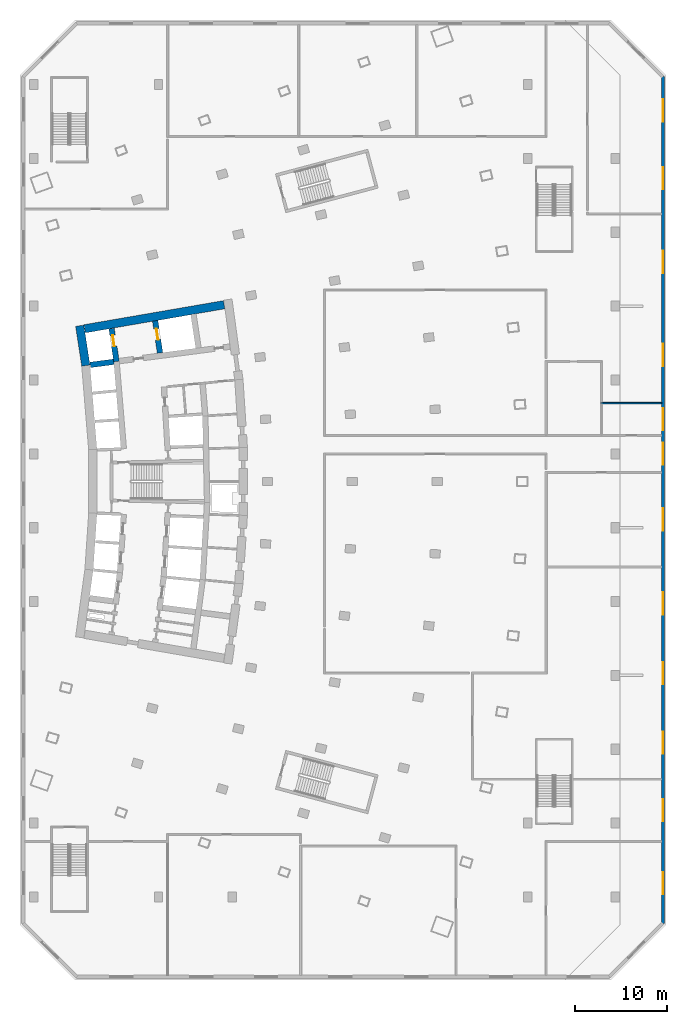
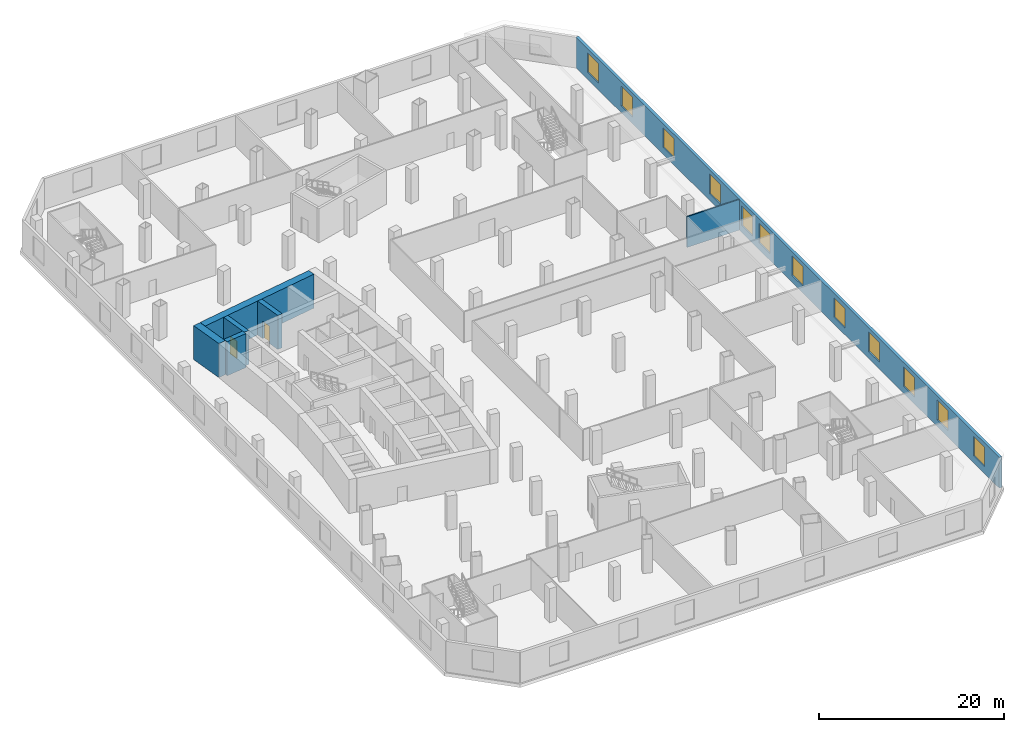
# One storey, part 7 of 16: 12 windows, 7 walls, 2 doors, 14 openings.
"""IFC4 building model written with IfcOpenShell, lengths in metres."""

from ifc_helpers import new_model, si_unit, direction, frame, frame_2d, origin, place, context, subcontext, project, spatial, rectangle, extrude, material, layer, layer_set, type_object, element, fill, save


model = new_model("IFC4")

# Units and contexts
model_context = context("Model", 3, precision=1e-05, world=origin(), true_north=direction((0.0, 1.0)))
body_context = subcontext(model_context, "Body", "Model", "MODEL_VIEW")
ifc_project = project(units=[si_unit("LENGTHUNIT", "METRE"), si_unit("AREAUNIT", "SQUARE_METRE"), si_unit("VOLUMEUNIT", "CUBIC_METRE"), si_unit("PLANEANGLEUNIT", "RADIAN"), si_unit("MASSUNIT", "GRAM", prefix="KILO")], contexts=[model_context])

# Site, building, storey
site_placement = place(None, origin())
site = spatial("IfcSite", under=ifc_project, at=site_placement, CompositionType="ELEMENT")
building_placement = place(site_placement, origin())
building = spatial("IfcBuilding", under=site, at=building_placement, Name="Alderwake Tower", CompositionType="ELEMENT")
storey_placement = place(building_placement, frame((0.0, 0.0, 18.5)))
storey = spatial("IfcBuildingStorey", under=building, at=storey_placement, Name="L03", CompositionType="ELEMENT", Elevation=18.5)

# Walls
ifc_material_1 = material(Name="Concrete C70/85", Category="concrete")
ifc_layer_1 = layer(ifc_material_1, 0.89990234375)
ifc_layer_set_1 = layer_set([ifc_layer_1], Name="Core wall outer 900 C70-85")
wall_type_1 = type_object("IfcWallType", Name="Core wall outer 900 C70-85", PredefinedType="SHEAR", material=ifc_layer_set_1)
wall_1_placement = place(storey_placement, frame((16.1337890625, 73.557373046875, 0.0), z_axis=(0.0, 0.0, 1.0), x_axis=(-0.151956504286, 0.988387181627, 0.0)))
element("IfcWall", 1, at=wall_1_placement, inside=storey, type_object=wall_type_1, Name="Core wall CW.039", PredefinedType="SHEAR", context=body_context, shape_type="SweptSolid", body=[
    extrude(rectangle(XDim=4.373291015625, YDim=0.89990234375, at=frame_2d((2.1865234375, 0.0))), origin(), (0.0, 0.0, 1.0), 4.5),
])
wall_2_placement = place(storey_placement, frame((16.005615234375, 77.548828125, 0.0), z_axis=(0.0, 0.0, 1.0), x_axis=(0.985465815888, 0.169873852363, 0.0)))
element("IfcWall", 2, at=wall_2_placement, inside=storey, type_object=wall_type_1, Name="Core wall CW.053", PredefinedType="SHEAR", context=body_context, shape_type="SweptSolid", body=[
    extrude(rectangle(XDim=15.33056640625, YDim=0.89990234375, at=frame_2d((7.665283203125, 0.0))), origin(), (0.0, 0.0, 1.0), 4.5),
])

# Wall, opening, door
ifc_material_2 = material(Name="Concrete C70/85", Category="concrete")
ifc_layer_2 = layer(ifc_material_2, 0.60009765625)
ifc_layer_set_2 = layer_set([ifc_layer_2], Name="Core wall spine 600 C70-85")
wall_type_2 = type_object("IfcWallType", Name="Core wall spine 600 C70-85", PredefinedType="SHEAR", material=ifc_layer_set_2)
wall_3_placement = place(storey_placement, frame((19.45458984375, 73.99755859375, 0.0), z_axis=(0.0, 0.0, 1.0), x_axis=(-0.147502312715, 0.989061710786, 0.0)))
wall_3 = element("IfcWall", 3, at=wall_3_placement, inside=storey, type_object=wall_type_2, Name="Core wall CW.030", PredefinedType="SHEAR", context=body_context, shape_type="SweptSolid", body=[
    extrude(rectangle(XDim=3.6181640625, YDim=0.60009765625, at=frame_2d((1.80908203125, 0.0))), origin(), (0.0, 0.0, 1.0), 4.5),
])
opening_1_placement = place(wall_3_placement, frame((1.664306640625, 0.0, 0.0)))
opening_1 = element("IfcOpeningElement", 4, at=opening_1_placement, cuts=wall_3, Name="Opening LD-FF1", PredefinedType="OPENING", context=body_context, shape_type="SweptSolid", body=[
    extrude(rectangle(XDim=1.199951171875, YDim=2.300048828125, at=frame_2d((0.60009765625, 1.14990234375))), frame((0.0, 0.31005859375, 0.0), z_axis=(0.0, -1.0, 0.0), x_axis=(1.0, 0.0, 0.0)), (0.0, 0.0, 1.0), 0.6201171875),
])
ifc_material_3 = material(Name="Stainless steel sliding leaf", Category="steel")
door_type = type_object("IfcDoorType", Name="Lift landing door 1200", OperationType="SLIDING_TO_LEFT", PredefinedType="DOOR", material=ifc_material_3)
door_1_placement = place(opening_1_placement, origin())
door_1 = element("IfcDoor", 5, at=door_1_placement, inside=storey, type_object=door_type, Name="Lift landing door FF1", OperationType="SLIDING_TO_LEFT", OverallHeight=2.300048828125, OverallWidth=1.199951171875, PredefinedType="DOOR", context=body_context, shape_type="SweptSolid", body=[
    extrude(rectangle(XDim=1.199951171875, YDim=2.300048828125, at=frame_2d((0.60009765625, 1.14990234375))), frame((0.0, 0.050048828125, 0.0), z_axis=(0.0, -1.0, 0.0), x_axis=(1.0, 0.0, 0.0)), (0.0, 0.0, 1.0), 0.10009765625),
])
fill(opening_1, door_1)

wall_4_placement = place(storey_placement, frame((24.173095703125, 74.927734375, 0.0), z_axis=(0.0, 0.0, 1.0), x_axis=(-0.14910953086, 0.988820685365, 0.0)))
wall_4 = element("IfcWall", 6, at=wall_4_placement, inside=storey, type_object=wall_type_2, Name="Core wall CW.044", PredefinedType="SHEAR", context=body_context, shape_type="SweptSolid", body=[
    extrude(rectangle(XDim=3.5234375, YDim=0.60009765625, at=frame_2d((1.76171875, 0.0))), origin(), (0.0, 0.0, 1.0), 4.5),
])
opening_2_placement = place(wall_4_placement, frame((1.4619140625, 0.0, 0.0)))
opening_2 = element("IfcOpeningElement", 7, at=opening_2_placement, cuts=wall_4, Name="Opening LD-FF2", PredefinedType="OPENING", context=body_context, shape_type="SweptSolid", body=[
    extrude(rectangle(XDim=1.199951171875, YDim=2.300048828125, at=frame_2d((0.60009765625, 1.14990234375))), frame((0.0, 0.31005859375, 0.0), z_axis=(0.0, -1.0, 0.0), x_axis=(1.0, 0.0, 0.0)), (0.0, 0.0, 1.0), 0.6201171875),
])
door_2_placement = place(opening_2_placement, origin())
door_2 = element("IfcDoor", 8, at=door_2_placement, inside=storey, type_object=door_type, Name="Lift landing door FF2", OperationType="SLIDING_TO_LEFT", OverallHeight=2.300048828125, OverallWidth=1.199951171875, PredefinedType="DOOR", context=body_context, shape_type="SweptSolid", body=[
    extrude(rectangle(XDim=1.199951171875, YDim=2.300048828125, at=frame_2d((0.60009765625, 1.14990234375))), frame((0.0, 0.050048828125, 0.0), z_axis=(0.0, -1.0, 0.0), x_axis=(1.0, 0.0, 0.0)), (0.0, 0.0, 1.0), 0.10009765625),
])
fill(opening_2, door_2)

# Walls
wall_5_placement = place(storey_placement, frame((16.607666015625, 73.635498046875, 0.0), z_axis=(0.0, 0.0, 1.0), x_axis=(0.991551057449, 0.129717001478, 0.0)))
element("IfcWall", 9, at=wall_5_placement, inside=storey, type_object=wall_type_2, Name="Core wall CW.051", PredefinedType="SHEAR", context=body_context, shape_type="SweptSolid", body=[
    extrude(rectangle(XDim=2.569091796875, YDim=0.60009765625, at=frame_2d((1.28466796875, 0.0))), origin(), (0.0, 0.0, 1.0), 4.5),
])
ifc_material_4 = material(Name="Gypsum board on metal studs, rated")
ifc_layer_3 = layer(ifc_material_4, 0.159912109375)
ifc_layer_set_3 = layer_set([ifc_layer_3], Name="Corridor wall 160")
wall_type_3 = type_object("IfcWallType", Name="Corridor wall 160", PredefinedType="PARTITIONING", material=ifc_layer_set_3)
wall_6_placement = place(storey_placement, frame((71.919921875, 69.5009765625, 0.0), z_axis=(0.0, 0.0, 1.0), x_axis=(1.0, 0.0, 0.0)))
element("IfcWall", 10, at=wall_6_placement, inside=storey, type_object=wall_type_3, Name="WL/L03/W53", PredefinedType="PARTITIONING", context=body_context, shape_type="SweptSolid", body=[
    extrude(rectangle(XDim=6.5810546875, YDim=0.159912109375, at=frame_2d((3.29052734375, 0.0))), origin(), (0.0, 0.0, 1.0), 4.050048828125),
])

# Wall, openings, windows
ifc_material_5 = material(Name="Precast concrete C50/60 spandrel panel", Category="concrete")
ifc_layer_4 = layer(ifc_material_5, 0.35009765625)
ifc_layer_set_4 = layer_set([ifc_layer_4], Name="External wall EW4 Precast concrete C50/60 podium")
wall_type_4 = type_object("IfcWallType", Name="External wall EW4 Precast concrete C50/60 podium", PredefinedType="SOLIDWALL", material=ifc_layer_set_4)
wall_7_placement = place(storey_placement, frame((78.64990234375, 13.14501953125, 0.0), z_axis=(0.0, 0.0, 1.0), x_axis=(0.0, 1.0, 0.0)))
wall_7 = element("IfcWall", 11, at=wall_7_placement, inside=storey, type_object=wall_type_4, Name="External wall 3", PredefinedType="SOLIDWALL", context=body_context, shape_type="SweptSolid", body=[
    extrude(rectangle(XDim=91.72509765625, YDim=0.35009765625, at=frame_2d((45.862548828125, 0.0))), origin(), (0.0, 0.0, 1.0), 4.050048828125),
])
opening_3_placement = place(wall_7_placement, frame((3.136962890625, 0.0, 0.89990234375)))
opening_3 = element("IfcOpeningElement", 12, at=opening_3_placement, cuts=wall_7, Name="Opening W6", PredefinedType="OPENING", context=body_context, shape_type="SweptSolid", body=[
    extrude(rectangle(XDim=2.39990234375, YDim=2.60009765625, at=frame_2d((1.199951171875, 1.300048828125))), frame((0.0, 0.18505859375, 0.0), z_axis=(0.0, -1.0, 0.0), x_axis=(1.0, 0.0, 0.0)), (0.0, 0.0, 1.0), 0.3701171875),
])
opening_4_placement = place(wall_7_placement, frame((11.029052734375, 0.0, 0.89990234375)))
opening_4 = element("IfcOpeningElement", 13, at=opening_4_placement, cuts=wall_7, Name="Opening W6", PredefinedType="OPENING", context=body_context, shape_type="SweptSolid", body=[
    extrude(rectangle(XDim=2.39990234375, YDim=2.60009765625, at=frame_2d((1.199951171875, 1.300048828125))), frame((0.0, 0.18505859375, 0.0), z_axis=(0.0, -1.0, 0.0), x_axis=(1.0, 0.0, 0.0)), (0.0, 0.0, 1.0), 0.3701171875),
])
opening_5_placement = place(wall_7_placement, frame((18.354248046875, 0.0, 0.89990234375)))
opening_5 = element("IfcOpeningElement", 14, at=opening_5_placement, cuts=wall_7, Name="Opening W6", PredefinedType="OPENING", context=body_context, shape_type="SweptSolid", body=[
    extrude(rectangle(XDim=2.39990234375, YDim=2.60009765625, at=frame_2d((1.199951171875, 1.300048828125))), frame((0.0, 0.18505859375, 0.0), z_axis=(0.0, -1.0, 0.0), x_axis=(1.0, 0.0, 0.0)), (0.0, 0.0, 1.0), 0.3701171875),
])
opening_6_placement = place(wall_7_placement, frame((25.89453125, 0.0, 0.89990234375)))
opening_6 = element("IfcOpeningElement", 15, at=opening_6_placement, cuts=wall_7, Name="Opening W6", PredefinedType="OPENING", context=body_context, shape_type="SweptSolid", body=[
    extrude(rectangle(XDim=2.39990234375, YDim=2.60009765625, at=frame_2d((1.199951171875, 1.300048828125))), frame((0.0, 0.18505859375, 0.0), z_axis=(0.0, -1.0, 0.0), x_axis=(1.0, 0.0, 0.0)), (0.0, 0.0, 1.0), 0.3701171875),
])
opening_7_placement = place(wall_7_placement, frame((33.434814453125, 0.0, 0.89990234375)))
opening_7 = element("IfcOpeningElement", 16, at=opening_7_placement, cuts=wall_7, Name="Opening W6", PredefinedType="OPENING", context=body_context, shape_type="SweptSolid", body=[
    extrude(rectangle(XDim=2.39990234375, YDim=2.60009765625, at=frame_2d((1.199951171875, 1.300048828125))), frame((0.0, 0.18505859375, 0.0), z_axis=(0.0, -1.0, 0.0), x_axis=(1.0, 0.0, 0.0)), (0.0, 0.0, 1.0), 0.3701171875),
])
opening_8_placement = place(wall_7_placement, frame((42.54052734375, 0.0, 0.89990234375)))
opening_8 = element("IfcOpeningElement", 17, at=opening_8_placement, cuts=wall_7, Name="Opening W6", PredefinedType="OPENING", context=body_context, shape_type="SweptSolid", body=[
    extrude(rectangle(XDim=2.39990234375, YDim=2.60009765625, at=frame_2d((1.199951171875, 1.300048828125))), frame((0.0, 0.18505859375, 0.0), z_axis=(0.0, -1.0, 0.0), x_axis=(1.0, 0.0, 0.0)), (0.0, 0.0, 1.0), 0.3701171875),
])
opening_9_placement = place(wall_7_placement, frame((49.655517578125, 0.0, 0.89990234375)))
opening_9 = element("IfcOpeningElement", 18, at=opening_9_placement, cuts=wall_7, Name="Opening W6", PredefinedType="OPENING", context=body_context, shape_type="SweptSolid", body=[
    extrude(rectangle(XDim=2.39990234375, YDim=2.60009765625, at=frame_2d((1.199951171875, 1.300048828125))), frame((0.0, 0.18505859375, 0.0), z_axis=(0.0, -1.0, 0.0), x_axis=(1.0, 0.0, 0.0)), (0.0, 0.0, 1.0), 0.3701171875),
])
opening_10_placement = place(wall_7_placement, frame((53.405517578125, 0.0, 0.89990234375)))
opening_10 = element("IfcOpeningElement", 19, at=opening_10_placement, cuts=wall_7, Name="Opening W6", PredefinedType="OPENING", context=body_context, shape_type="SweptSolid", body=[
    extrude(rectangle(XDim=2.39990234375, YDim=2.60009765625, at=frame_2d((1.199951171875, 1.300048828125))), frame((0.0, 0.18505859375, 0.0), z_axis=(0.0, -1.0, 0.0), x_axis=(1.0, 0.0, 0.0)), (0.0, 0.0, 1.0), 0.3701171875),
])
opening_11_placement = place(wall_7_placement, frame((60.370849609375, 0.0, 0.89990234375)))
opening_11 = element("IfcOpeningElement", 20, at=opening_11_placement, cuts=wall_7, Name="Opening W6", PredefinedType="OPENING", context=body_context, shape_type="SweptSolid", body=[
    extrude(rectangle(XDim=2.39990234375, YDim=2.60009765625, at=frame_2d((1.199951171875, 1.300048828125))), frame((0.0, 0.18505859375, 0.0), z_axis=(0.0, -1.0, 0.0), x_axis=(1.0, 0.0, 0.0)), (0.0, 0.0, 1.0), 0.3701171875),
])
opening_12_placement = place(wall_7_placement, frame((70.440185546875, 0.0, 0.89990234375)))
opening_12 = element("IfcOpeningElement", 21, at=opening_12_placement, cuts=wall_7, Name="Opening W6", PredefinedType="OPENING", context=body_context, shape_type="SweptSolid", body=[
    extrude(rectangle(XDim=2.39990234375, YDim=2.60009765625, at=frame_2d((1.199951171875, 1.300048828125))), frame((0.0, 0.18505859375, 0.0), z_axis=(0.0, -1.0, 0.0), x_axis=(1.0, 0.0, 0.0)), (0.0, 0.0, 1.0), 0.3701171875),
])
opening_13_placement = place(wall_7_placement, frame((79.507568359375, 0.0, 0.89990234375)))
opening_13 = element("IfcOpeningElement", 22, at=opening_13_placement, cuts=wall_7, Name="Opening W6", PredefinedType="OPENING", context=body_context, shape_type="SweptSolid", body=[
    extrude(rectangle(XDim=2.39990234375, YDim=2.60009765625, at=frame_2d((1.199951171875, 1.300048828125))), frame((0.0, 0.18505859375, 0.0), z_axis=(0.0, -1.0, 0.0), x_axis=(1.0, 0.0, 0.0)), (0.0, 0.0, 1.0), 0.3701171875),
])
opening_14_placement = place(wall_7_placement, frame((86.8525390625, 0.0, 0.89990234375)))
opening_14 = element("IfcOpeningElement", 23, at=opening_14_placement, cuts=wall_7, Name="Opening W6", PredefinedType="OPENING", context=body_context, shape_type="SweptSolid", body=[
    extrude(rectangle(XDim=2.39990234375, YDim=2.60009765625, at=frame_2d((1.199951171875, 1.300048828125))), frame((0.0, 0.18505859375, 0.0), z_axis=(0.0, -1.0, 0.0), x_axis=(1.0, 0.0, 0.0)), (0.0, 0.0, 1.0), 0.3701171875),
])
ifc_material_6 = material(Name="Bronze tinted glass in aluminium frame", Category="aluminium")
window_type = type_object("IfcWindowType", Name="Window W6 podium", PartitioningType="DOUBLE_PANEL_VERTICAL", PredefinedType="WINDOW", material=ifc_material_6)
window_1_placement = place(opening_3_placement, origin())
window_1 = element("IfcWindow", 24, at=window_1_placement, inside=storey, type_object=window_type, Name="Window W6 podium", OverallHeight=2.60009765625, OverallWidth=2.39990234375, PartitioningType="DOUBLE_PANEL_VERTICAL", PredefinedType="WINDOW", context=body_context, shape_type="SweptSolid", body=[
    extrude(rectangle(XDim=2.39990234375, YDim=2.60009765625, at=frame_2d((1.199951171875, 1.300048828125))), frame((0.0, 0.030029296875, 0.0), z_axis=(0.0, -1.0, 0.0), x_axis=(1.0, 0.0, 0.0)), (0.0, 0.0, 1.0), 0.06005859375),
])
fill(opening_3, window_1)
window_2_placement = place(opening_4_placement, origin())
window_2 = element("IfcWindow", 25, at=window_2_placement, inside=storey, type_object=window_type, Name="Window W6 podium", OverallHeight=2.60009765625, OverallWidth=2.39990234375, PartitioningType="DOUBLE_PANEL_VERTICAL", PredefinedType="WINDOW", context=body_context, shape_type="SweptSolid", body=[
    extrude(rectangle(XDim=2.39990234375, YDim=2.60009765625, at=frame_2d((1.199951171875, 1.300048828125))), frame((0.0, 0.030029296875, 0.0), z_axis=(0.0, -1.0, 0.0), x_axis=(1.0, 0.0, 0.0)), (0.0, 0.0, 1.0), 0.06005859375),
])
fill(opening_4, window_2)
window_3_placement = place(opening_5_placement, origin())
window_3 = element("IfcWindow", 26, at=window_3_placement, inside=storey, type_object=window_type, Name="Window W6 podium", OverallHeight=2.60009765625, OverallWidth=2.39990234375, PartitioningType="DOUBLE_PANEL_VERTICAL", PredefinedType="WINDOW", context=body_context, shape_type="SweptSolid", body=[
    extrude(rectangle(XDim=2.39990234375, YDim=2.60009765625, at=frame_2d((1.199951171875, 1.300048828125))), frame((0.0, 0.030029296875, 0.0), z_axis=(0.0, -1.0, 0.0), x_axis=(1.0, 0.0, 0.0)), (0.0, 0.0, 1.0), 0.06005859375),
])
fill(opening_5, window_3)
window_4_placement = place(opening_6_placement, origin())
window_4 = element("IfcWindow", 27, at=window_4_placement, inside=storey, type_object=window_type, Name="Window W6 podium", OverallHeight=2.60009765625, OverallWidth=2.39990234375, PartitioningType="DOUBLE_PANEL_VERTICAL", PredefinedType="WINDOW", context=body_context, shape_type="SweptSolid", body=[
    extrude(rectangle(XDim=2.39990234375, YDim=2.60009765625, at=frame_2d((1.199951171875, 1.300048828125))), frame((0.0, 0.030029296875, 0.0), z_axis=(0.0, -1.0, 0.0), x_axis=(1.0, 0.0, 0.0)), (0.0, 0.0, 1.0), 0.06005859375),
])
fill(opening_6, window_4)
window_5_placement = place(opening_7_placement, origin())
window_5 = element("IfcWindow", 28, at=window_5_placement, inside=storey, type_object=window_type, Name="Window W6 podium", OverallHeight=2.60009765625, OverallWidth=2.39990234375, PartitioningType="DOUBLE_PANEL_VERTICAL", PredefinedType="WINDOW", context=body_context, shape_type="SweptSolid", body=[
    extrude(rectangle(XDim=2.39990234375, YDim=2.60009765625, at=frame_2d((1.199951171875, 1.300048828125))), frame((0.0, 0.030029296875, 0.0), z_axis=(0.0, -1.0, 0.0), x_axis=(1.0, 0.0, 0.0)), (0.0, 0.0, 1.0), 0.06005859375),
])
fill(opening_7, window_5)
window_6_placement = place(opening_8_placement, origin())
window_6 = element("IfcWindow", 29, at=window_6_placement, inside=storey, type_object=window_type, Name="Window W6 podium", OverallHeight=2.60009765625, OverallWidth=2.39990234375, PartitioningType="DOUBLE_PANEL_VERTICAL", PredefinedType="WINDOW", context=body_context, shape_type="SweptSolid", body=[
    extrude(rectangle(XDim=2.39990234375, YDim=2.60009765625, at=frame_2d((1.199951171875, 1.300048828125))), frame((0.0, 0.030029296875, 0.0), z_axis=(0.0, -1.0, 0.0), x_axis=(1.0, 0.0, 0.0)), (0.0, 0.0, 1.0), 0.06005859375),
])
fill(opening_8, window_6)
window_7_placement = place(opening_9_placement, origin())
window_7 = element("IfcWindow", 30, at=window_7_placement, inside=storey, type_object=window_type, Name="Window W6 podium", OverallHeight=2.60009765625, OverallWidth=2.39990234375, PartitioningType="DOUBLE_PANEL_VERTICAL", PredefinedType="WINDOW", context=body_context, shape_type="SweptSolid", body=[
    extrude(rectangle(XDim=2.39990234375, YDim=2.60009765625, at=frame_2d((1.199951171875, 1.300048828125))), frame((0.0, 0.030029296875, 0.0), z_axis=(0.0, -1.0, 0.0), x_axis=(1.0, 0.0, 0.0)), (0.0, 0.0, 1.0), 0.06005859375),
])
fill(opening_9, window_7)
window_8_placement = place(opening_10_placement, origin())
window_8 = element("IfcWindow", 31, at=window_8_placement, inside=storey, type_object=window_type, Name="Window W6 podium", OverallHeight=2.60009765625, OverallWidth=2.39990234375, PartitioningType="DOUBLE_PANEL_VERTICAL", PredefinedType="WINDOW", context=body_context, shape_type="SweptSolid", body=[
    extrude(rectangle(XDim=2.39990234375, YDim=2.60009765625, at=frame_2d((1.199951171875, 1.300048828125))), frame((0.0, 0.030029296875, 0.0), z_axis=(0.0, -1.0, 0.0), x_axis=(1.0, 0.0, 0.0)), (0.0, 0.0, 1.0), 0.06005859375),
])
fill(opening_10, window_8)
window_9_placement = place(opening_11_placement, origin())
window_9 = element("IfcWindow", 32, at=window_9_placement, inside=storey, type_object=window_type, Name="Window W6 podium", OverallHeight=2.60009765625, OverallWidth=2.39990234375, PartitioningType="DOUBLE_PANEL_VERTICAL", PredefinedType="WINDOW", context=body_context, shape_type="SweptSolid", body=[
    extrude(rectangle(XDim=2.39990234375, YDim=2.60009765625, at=frame_2d((1.199951171875, 1.300048828125))), frame((0.0, 0.030029296875, 0.0), z_axis=(0.0, -1.0, 0.0), x_axis=(1.0, 0.0, 0.0)), (0.0, 0.0, 1.0), 0.06005859375),
])
fill(opening_11, window_9)
window_10_placement = place(opening_12_placement, origin())
window_10 = element("IfcWindow", 33, at=window_10_placement, inside=storey, type_object=window_type, Name="Window W6 podium", OverallHeight=2.60009765625, OverallWidth=2.39990234375, PartitioningType="DOUBLE_PANEL_VERTICAL", PredefinedType="WINDOW", context=body_context, shape_type="SweptSolid", body=[
    extrude(rectangle(XDim=2.39990234375, YDim=2.60009765625, at=frame_2d((1.199951171875, 1.300048828125))), frame((0.0, 0.030029296875, 0.0), z_axis=(0.0, -1.0, 0.0), x_axis=(1.0, 0.0, 0.0)), (0.0, 0.0, 1.0), 0.06005859375),
])
fill(opening_12, window_10)
window_11_placement = place(opening_13_placement, origin())
window_11 = element("IfcWindow", 34, at=window_11_placement, inside=storey, type_object=window_type, Name="Window W6 podium", OverallHeight=2.60009765625, OverallWidth=2.39990234375, PartitioningType="DOUBLE_PANEL_VERTICAL", PredefinedType="WINDOW", context=body_context, shape_type="SweptSolid", body=[
    extrude(rectangle(XDim=2.39990234375, YDim=2.60009765625, at=frame_2d((1.199951171875, 1.300048828125))), frame((0.0, 0.030029296875, 0.0), z_axis=(0.0, -1.0, 0.0), x_axis=(1.0, 0.0, 0.0)), (0.0, 0.0, 1.0), 0.06005859375),
])
fill(opening_13, window_11)
window_12_placement = place(opening_14_placement, origin())
window_12 = element("IfcWindow", 35, at=window_12_placement, inside=storey, type_object=window_type, Name="Window W6 podium", OverallHeight=2.60009765625, OverallWidth=2.39990234375, PartitioningType="DOUBLE_PANEL_VERTICAL", PredefinedType="WINDOW", context=body_context, shape_type="SweptSolid", body=[
    extrude(rectangle(XDim=2.39990234375, YDim=2.60009765625, at=frame_2d((1.199951171875, 1.300048828125))), frame((0.0, 0.030029296875, 0.0), z_axis=(0.0, -1.0, 0.0), x_axis=(1.0, 0.0, 0.0)), (0.0, 0.0, 1.0), 0.06005859375),
])
fill(opening_14, window_12)

save(model, "model.ifc")
